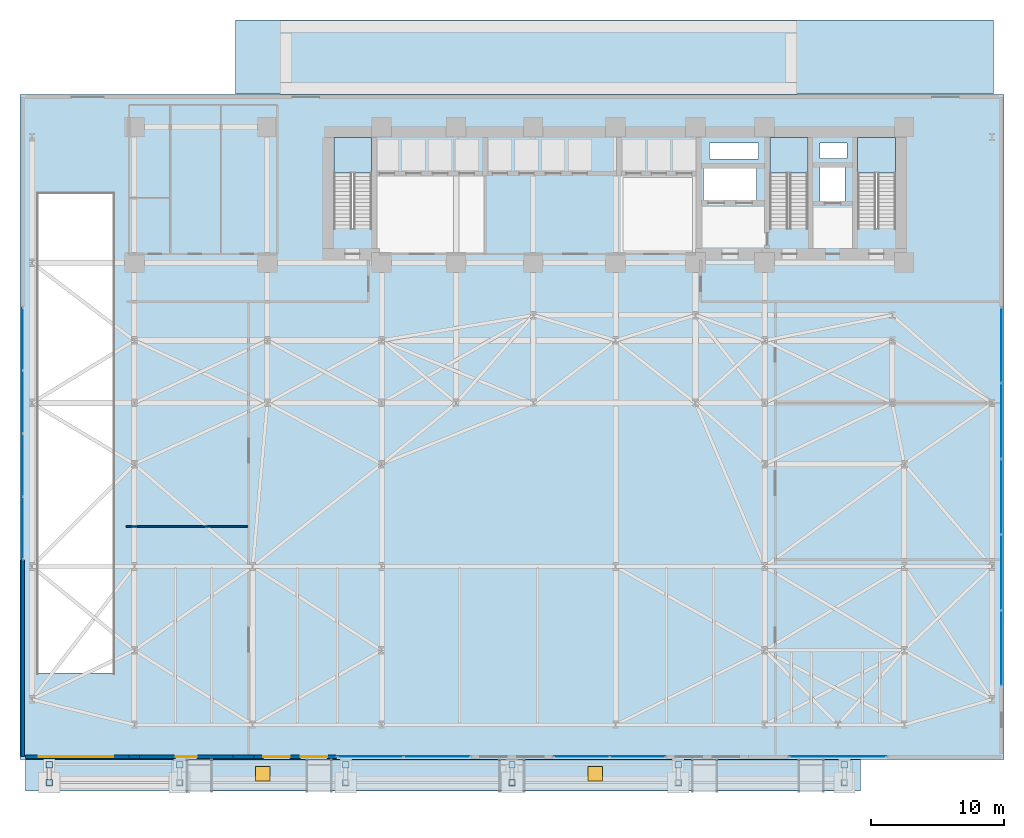
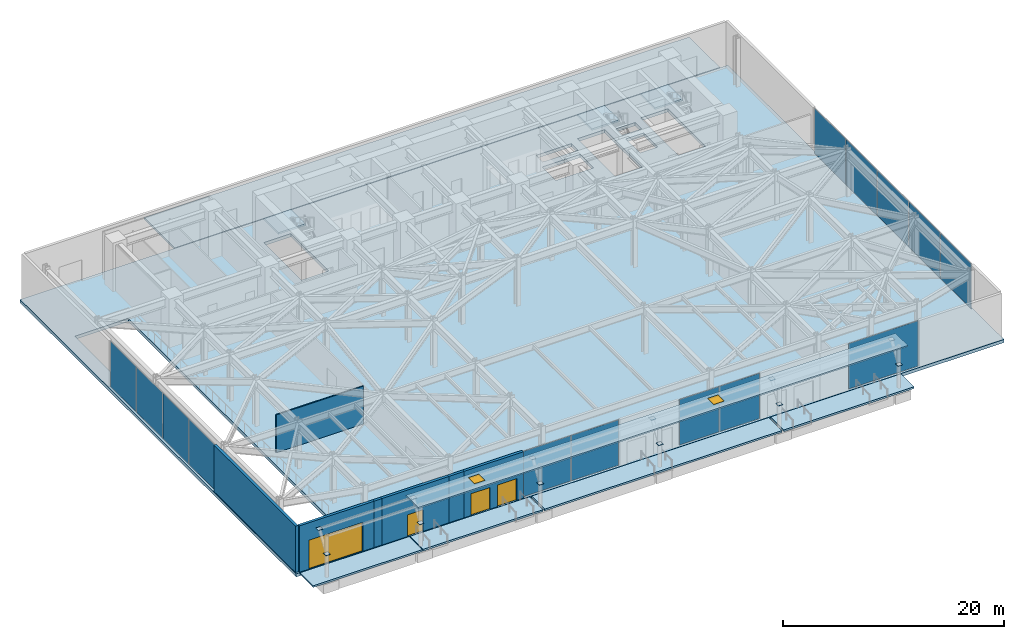
# One storey, part 24 of 31: 26 plates, 10 slabs, 7 walls, 6 doors, 6 openings, 8 elements without a shape of their own.
"""IFC4 building model written with IfcOpenShell, lengths in metres."""

from ifc_helpers import new_model, si_unit, direction, frame, frame_2d, origin, origin_2d, place, context, subcontext, project, spatial, polyline, rectangle, outline, extrude, material, layer, layer_set, type_object, element, fill, aggregate, save


model = new_model("IFC4")

# Units and contexts
model_context = context("Model", 3, precision=1e-05, world=origin(), true_north=direction((0.0, 1.0)))
body_context = subcontext(model_context, "Body", "Model", "MODEL_VIEW")
ifc_project = project(units=[si_unit("LENGTHUNIT", "METRE"), si_unit("AREAUNIT", "SQUARE_METRE"), si_unit("VOLUMEUNIT", "CUBIC_METRE"), si_unit("PLANEANGLEUNIT", "RADIAN"), si_unit("MASSUNIT", "GRAM", prefix="KILO")], contexts=[model_context])

# Site, building, storey
site_placement = place(None, origin())
site = spatial("IfcSite", under=ifc_project, at=site_placement, CompositionType="ELEMENT")
building_placement = place(site_placement, origin())
building = spatial("IfcBuilding", under=site, at=building_placement, Name="Kravanh Interchange Tower", CompositionType="ELEMENT")
storey_placement = place(building_placement, origin())
storey = spatial("IfcBuildingStorey", under=building, at=storey_placement, Name="L00", CompositionType="ELEMENT", Elevation=0.0)

# Slab
ifc_material_1 = material(Name="Concrete C60/75", Category="concrete")
ifc_layer_1 = layer(ifc_material_1, 0.35009765625)
ifc_layer_set_1 = layer_set([ifc_layer_1], Name="Composite Floor Slab Concrete C60/75 350mm")
slab_type_1 = type_object("IfcSlabType", Name="Composite Floor Slab Concrete C60/75 350mm", PredefinedType="FLOOR", material=ifc_layer_set_1)
slab_1_placement = place(storey_placement, frame((0.0, 0.0, -0.35009765625)))
element("IfcSlab", 1, at=slab_1_placement, inside=storey, type_object=slab_type_1, Name="L00 Structural Floor Slab", PredefinedType="FLOOR", context=body_context, shape_type="SweptSolid", body=[
    extrude(outline(polyline([(0.0, 0.0), (74.0, 0.0), (74.0, 50.0), (0.0, 50.0), (0.0, 0.0)]), holes=[polyline([(65.85009765625, 39.925048828125), (65.85009765625, 46.75), (63.0, 46.75), (63.0, 39.925048828125), (65.85009765625, 39.925048828125)]), polyline([(59.25, 39.925048828125), (59.25, 46.75), (56.39990234375, 46.75), (56.39990234375, 39.925048828125), (59.25, 39.925048828125)]), polyline([(26.449951171875, 39.925048828125), (26.449951171875, 46.75), (23.60009765625, 46.75), (23.60009765625, 39.925048828125), (26.449951171875, 39.925048828125)]), polyline([(51.419921875, 42.02001953125), (55.3798828125, 42.02001953125), (55.3798828125, 44.47998046875), (51.419921875, 44.47998046875), (51.419921875, 42.02001953125)]), polyline([(60.179931640625, 41.97998046875), (62.06005859375, 41.97998046875), (62.06005859375, 44.52001953125), (60.179931640625, 44.52001953125), (60.179931640625, 41.97998046875)]), polyline([(1.39990234375, 6.5), (7.0, 6.5), (7.0, 42.5), (1.39990234375, 42.5), (1.39990234375, 6.5)]), polyline([(60.14990234375, 45.199951171875), (62.199951171875, 45.199951171875), (62.199951171875, 46.35009765625), (60.14990234375, 46.35009765625), (60.14990234375, 45.199951171875)]), polyline([(51.85009765625, 45.14990234375), (55.550048828125, 45.14990234375), (55.550048828125, 46.35009765625), (51.85009765625, 46.35009765625), (51.85009765625, 45.14990234375)])]), origin(), (0.0, 0.0, 1.0), 0.35009765625),
])

# Stair, slab
ifc_material_2 = material(Name="Concrete C50/60", Category="concrete")
stair_type = type_object("IfcStairType", Name="Core Fire Exit Dogleg Stair Concrete C50/60", PredefinedType="HALF_TURN_STAIR", material=ifc_material_2)
stair_1_placement = place(storey_placement, origin())
stair_1 = element("IfcStair", 2, at=stair_1_placement, inside=storey, type_object=stair_type, Name="L00 Exit Stair ST1", PredefinedType="HALF_TURN_STAIR")
ifc_material_3 = material(Name="Concrete C50/60", Category="concrete")
ifc_layer_2 = layer(ifc_material_3, 0.199951171875)
ifc_layer_set_2 = layer_set([ifc_layer_2], Name="Concrete C50/60 Stair Half-Landing Slab 200mm")
slab_type_2 = type_object("IfcSlabType", Name="Concrete C50/60 Stair Half-Landing Slab 200mm", PredefinedType="LANDING", material=ifc_layer_set_2)
slab_2_placement = place(storey_placement, frame((0.0, 0.0, 2.5)))
slab_2 = element("IfcSlab", 3, at=slab_2_placement, type_object=slab_type_2, Name="ST1 landing 1", PredefinedType="LANDING", context=body_context, shape_type="SweptSolid", body=[
    extrude(outline(polyline([(65.85009765625, 44.10009765625), (65.85009765625, 46.75), (63.0, 46.75), (63.0, 44.10009765625), (65.85009765625, 44.10009765625)])), origin(), (0.0, 0.0, 1.0), 0.199951171875),
])
aggregate(stair_1, [slab_2])

stair_2_placement = place(storey_placement, origin())
stair_2 = element("IfcStair", 4, at=stair_2_placement, inside=storey, type_object=stair_type, Name="L00 Exit Stair ST2", PredefinedType="HALF_TURN_STAIR")
slab_3_placement = place(storey_placement, frame((0.0, 0.0, 2.5)))
slab_3 = element("IfcSlab", 5, at=slab_3_placement, type_object=slab_type_2, Name="ST2 landing 1", PredefinedType="LANDING", context=body_context, shape_type="SweptSolid", body=[
    extrude(outline(polyline([(59.25, 44.10009765625), (59.25, 46.75), (56.39990234375, 46.75), (56.39990234375, 44.10009765625), (59.25, 44.10009765625)])), origin(), (0.0, 0.0, 1.0), 0.199951171875),
])
aggregate(stair_2, [slab_3])

stair_3_placement = place(storey_placement, origin())
stair_3 = element("IfcStair", 6, at=stair_3_placement, inside=storey, type_object=stair_type, Name="L00 Exit Stair ST3", PredefinedType="HALF_TURN_STAIR")
slab_4_placement = place(storey_placement, frame((0.0, 0.0, 2.5)))
slab_4 = element("IfcSlab", 7, at=slab_4_placement, type_object=slab_type_2, Name="ST3 landing 1", PredefinedType="LANDING", context=body_context, shape_type="SweptSolid", body=[
    extrude(outline(polyline([(26.449951171875, 44.10009765625), (26.449951171875, 46.75), (23.60009765625, 46.75), (23.60009765625, 44.10009765625), (26.449951171875, 44.10009765625)])), origin(), (0.0, 0.0, 1.0), 0.199951171875),
])
aggregate(stair_3, [slab_4])

# Plates
ifc_material_4 = material(Name="Structural Steel S450", Category="steel")
ifc_layer_3 = layer(ifc_material_4, 0.031982421875)
ifc_layer_set_3 = layer_set([ifc_layer_3], Name="Flange Continuity Node Plate 480x480x32 S450")
plate_type_1 = type_object("IfcPlateType", Name="Flange Continuity Node Plate 480x480x32 S450", PredefinedType="SHEET", material=ifc_layer_set_3)
for number, where, z_axis, x_axis, name in (
    (8, (2.199951171875, -1.75, 2.48388671875), (0.0, 0.0, 1.0), (1.0, 0.0, 0.0), "Canopy Strut Lower Connection Plate 1A"),
    (9, (2.199951171875, -0.39990234375, 4.458984375), (0.0, 0.0, 1.0), (1.0, 0.0, 0.0), "Canopy Strut Upper Connection Plate 1B"),
    (10, (12.0, -1.75, 2.48388671875), (0.0, 0.0, 1.0), (1.0, 0.0, 0.0), "Canopy Strut Lower Connection Plate 2A"),
    (11, (12.0, -0.39990234375, 4.458984375), (0.0, 0.0, 1.0), (1.0, 0.0, 0.0), "Canopy Strut Upper Connection Plate 2B"),
    (12, (24.5, -1.75, 2.48388671875), (0.0, 0.0, 1.0), (1.0, 0.0, 0.0), "Canopy Strut Lower Connection Plate 3A"),
    (13, (24.5, -0.39990234375, 4.458984375), (0.0, 0.0, 1.0), (1.0, 0.0, 0.0), "Canopy Strut Upper Connection Plate 3B"),
    (14, (37.0, -1.75, 2.48388671875), (0.0, 0.0, 1.0), (1.0, 0.0, 0.0), "Canopy Strut Lower Connection Plate 4A"),
    (15, (37.0, -0.39990234375, 4.458984375), (0.0, 0.0, 1.0), (1.0, 0.0, 0.0), "Canopy Strut Upper Connection Plate 4B"),
    (16, (49.5, -1.75, 2.48388671875), (0.0, 0.0, 1.0), (1.0, 0.0, 0.0), "Canopy Strut Lower Connection Plate 5A"),
    (17, (49.5, -0.39990234375, 4.458984375), (0.0, 0.0, 1.0), (1.0, 0.0, 0.0), "Canopy Strut Upper Connection Plate 5B"),
    (18, (62.0, -1.75, 2.48388671875), (0.0, 0.0, 1.0), (1.0, 0.0, 0.0), "Canopy Strut Lower Connection Plate 6A"),
    (19, (62.0, -0.39990234375, 4.458984375), (0.0, 0.0, 1.0), (1.0, 0.0, 0.0), "Canopy Strut Upper Connection Plate 6B"),
):
    element("IfcPlate", number, at=place(storey_placement, frame(where, z_axis=z_axis, x_axis=x_axis)), inside=storey, type_object=plate_type_1, Name=name, PredefinedType="SHEET", context=body_context, shape_type="SweptSolid", body=[
        extrude(rectangle(XDim=0.47998046875, YDim=0.47998046875, at=origin_2d()), origin(), (0.0, 0.0, 1.0), 0.031982421875),
    ])

# Curtain wall, plates
ifc_material_5 = material(Name="Anodised Bronze Aluminium", Category="aluminium")
ifc_layer_4 = layer(ifc_material_5, 0.179931640625)
ifc_layer_set_4 = layer_set([ifc_layer_4], Name="Unitised Curtain Wall System CW-POD Podium Concourse")
curtain_wall_type = type_object("IfcCurtainWallType", Name="Unitised Curtain Wall System CW-POD Podium Concourse", PredefinedType="NOTDEFINED", material=ifc_layer_set_4)
curtain_wall_1_placement = place(storey_placement, origin())
curtain_wall_1 = element("IfcCurtainWall", 20, at=curtain_wall_1_placement, inside=storey, type_object=curtain_wall_type, Name="L00 Unitised Curtain Wall CW-L00-01", PredefinedType="NOTDEFINED")
ifc_material_6 = material(Name="Low-E Laminated Architectural Glass", Category="glass")
ifc_layer_5 = layer(ifc_material_6, 0.031982421875)
ifc_layer_set_5 = layer_set([ifc_layer_5], Name="Low-E Laminated Glazing 32mm")
plate_type_2 = type_object("IfcPlateType", Name="Low-E Laminated Glazing 32mm", PredefinedType="CURTAIN_PANEL", material=ifc_layer_set_5)
plate_1_placement = place(storey_placement, frame((26.342529296875, 0.199951171875, 0.06005859375), z_axis=(0.0, 0.0, 1.0), x_axis=(1.0, 0.0, 0.0)))
plate_1 = element("IfcPlate", 21, at=plate_1_placement, type_object=plate_type_2, Name="CW-POD panel 1.1", PredefinedType="CURTAIN_PANEL", context=body_context, shape_type="SweptSolid", body=[
    extrude(rectangle(XDim=4.945068359375, YDim=0.031982421875, at=origin_2d()), origin(), (0.0, 0.0, 1.0), 5.010009765625),
])
plate_2_placement = place(storey_placement, frame((31.357421875, 0.199951171875, 0.06005859375), z_axis=(0.0, 0.0, 1.0), x_axis=(1.0, 0.0, 0.0)))
plate_2 = element("IfcPlate", 22, at=plate_2_placement, type_object=plate_type_2, Name="CW-POD panel 2.1", PredefinedType="CURTAIN_PANEL", context=body_context, shape_type="SweptSolid", body=[
    extrude(rectangle(XDim=4.945068359375, YDim=0.031982421875, at=origin_2d()), origin(), (0.0, 0.0, 1.0), 5.010009765625),
])
aggregate(curtain_wall_1, [plate_1, plate_2])

curtain_wall_2_placement = place(storey_placement, origin())
curtain_wall_2 = element("IfcCurtainWall", 23, at=curtain_wall_2_placement, inside=storey, type_object=curtain_wall_type, Name="L00 Unitised Curtain Wall CW-L00-02", PredefinedType="NOTDEFINED")
plate_3_placement = place(storey_placement, frame((42.242431640625, 0.199951171875, 0.06005859375), z_axis=(0.0, 0.0, 1.0), x_axis=(1.0, 0.0, 0.0)))
plate_3 = element("IfcPlate", 24, at=plate_3_placement, type_object=plate_type_2, Name="CW-POD panel 1.1", PredefinedType="CURTAIN_PANEL", context=body_context, shape_type="SweptSolid", body=[
    extrude(rectangle(XDim=4.14501953125, YDim=0.031982421875, at=origin_2d()), origin(), (0.0, 0.0, 1.0), 5.010009765625),
])
plate_4_placement = place(storey_placement, frame((46.45751953125, 0.199951171875, 0.06005859375), z_axis=(0.0, 0.0, 1.0), x_axis=(1.0, 0.0, 0.0)))
plate_4 = element("IfcPlate", 25, at=plate_4_placement, type_object=plate_type_2, Name="CW-POD panel 2.1", PredefinedType="CURTAIN_PANEL", context=body_context, shape_type="SweptSolid", body=[
    extrude(rectangle(XDim=4.14501953125, YDim=0.031982421875, at=origin_2d()), origin(), (0.0, 0.0, 1.0), 5.010009765625),
])
aggregate(curtain_wall_2, [plate_3, plate_4])

# Curtain wall, plate
curtain_wall_3_placement = place(storey_placement, origin())
curtain_wall_3 = element("IfcCurtainWall", 26, at=curtain_wall_3_placement, inside=storey, type_object=curtain_wall_type, Name="L00 Unitised Curtain Wall CW-L00-03", PredefinedType="NOTDEFINED")
plate_5_placement = place(storey_placement, frame((61.5, 0.199951171875, 0.06005859375), z_axis=(0.0, 0.0, 1.0), x_axis=(1.0, 0.0, 0.0)))
plate_5 = element("IfcPlate", 27, at=plate_5_placement, type_object=plate_type_2, Name="CW-POD panel 1.1", PredefinedType="CURTAIN_PANEL", context=body_context, shape_type="SweptSolid", body=[
    extrude(rectangle(XDim=7.260009765625, YDim=0.031982421875, at=origin_2d()), origin(), (0.0, 0.0, 1.0), 5.010009765625),
])
aggregate(curtain_wall_3, [plate_5])

# Curtain wall, plates
curtain_wall_4_placement = place(storey_placement, origin())
curtain_wall_4 = element("IfcCurtainWall", 28, at=curtain_wall_4_placement, inside=storey, type_object=curtain_wall_type, Name="L00 Unitised Curtain Wall CW-L00-04", PredefinedType="NOTDEFINED")
plate_6_placement = place(storey_placement, frame((73.800048828125, 8.367431640625, 0.06005859375), z_axis=(0.0, 0.0, 1.0), x_axis=(0.0, 1.0, 0.0)))
plate_6 = element("IfcPlate", 29, at=plate_6_placement, type_object=plate_type_2, Name="CW-POD panel 1.1", PredefinedType="CURTAIN_PANEL", context=body_context, shape_type="SweptSolid", body=[
    extrude(rectangle(XDim=5.594970703125, YDim=0.031982421875, at=origin_2d()), origin(), (0.0, 0.0, 1.0), 5.010009765625),
])
plate_7_placement = place(storey_placement, frame((73.800048828125, 14.050048828125, 0.06005859375), z_axis=(0.0, 0.0, 1.0), x_axis=(0.0, 1.0, 0.0)))
plate_7 = element("IfcPlate", 30, at=plate_7_placement, type_object=plate_type_2, Name="CW-POD panel 2.1", PredefinedType="CURTAIN_PANEL", context=body_context, shape_type="SweptSolid", body=[
    extrude(rectangle(XDim=5.6298828125, YDim=0.031982421875, at=origin_2d()), origin(), (0.0, 0.0, 1.0), 5.010009765625),
])
plate_8_placement = place(storey_placement, frame((73.800048828125, 19.75, 0.06005859375), z_axis=(0.0, 0.0, 1.0), x_axis=(0.0, 1.0, 0.0)))
plate_8 = element("IfcPlate", 31, at=plate_8_placement, type_object=plate_type_2, Name="CW-POD panel 3.1", PredefinedType="CURTAIN_PANEL", context=body_context, shape_type="SweptSolid", body=[
    extrude(rectangle(XDim=5.6298828125, YDim=0.031982421875, at=origin_2d()), origin(), (0.0, 0.0, 1.0), 5.010009765625),
])
plate_9_placement = place(storey_placement, frame((73.800048828125, 25.449951171875, 0.06005859375), z_axis=(0.0, 0.0, 1.0), x_axis=(0.0, 1.0, 0.0)))
plate_9 = element("IfcPlate", 32, at=plate_9_placement, type_object=plate_type_2, Name="CW-POD panel 4.1", PredefinedType="CURTAIN_PANEL", context=body_context, shape_type="SweptSolid", body=[
    extrude(rectangle(XDim=5.6298828125, YDim=0.031982421875, at=origin_2d()), origin(), (0.0, 0.0, 1.0), 5.010009765625),
])
plate_10_placement = place(storey_placement, frame((73.800048828125, 31.132568359375, 0.06005859375), z_axis=(0.0, 0.0, 1.0), x_axis=(0.0, 1.0, 0.0)))
plate_10 = element("IfcPlate", 33, at=plate_10_placement, type_object=plate_type_2, Name="CW-POD panel 5.1", PredefinedType="CURTAIN_PANEL", context=body_context, shape_type="SweptSolid", body=[
    extrude(rectangle(XDim=5.594970703125, YDim=0.031982421875, at=origin_2d()), origin(), (0.0, 0.0, 1.0), 5.010009765625),
])
aggregate(curtain_wall_4, [plate_6, plate_7, plate_8, plate_9, plate_10])

curtain_wall_5_placement = place(storey_placement, origin())
curtain_wall_5 = element("IfcCurtainWall", 34, at=curtain_wall_5_placement, inside=storey, type_object=curtain_wall_type, Name="L00 Unitised Curtain Wall CW-L00-05", PredefinedType="NOTDEFINED")
plate_11_placement = place(storey_placement, frame((0.199951171875, 17.392578125, 0.06005859375), z_axis=(0.0, 0.0, 1.0), x_axis=(0.0, 1.0, 0.0)))
plate_11 = element("IfcPlate", 35, at=plate_11_placement, type_object=plate_type_2, Name="CW-POD panel 1.1", PredefinedType="CURTAIN_PANEL", context=body_context, shape_type="SweptSolid", body=[
    extrude(rectangle(XDim=4.64501953125, YDim=0.031982421875, at=origin_2d()), origin(), (0.0, 0.0, 1.0), 5.010009765625),
])
plate_12_placement = place(storey_placement, frame((0.199951171875, 22.125, 0.06005859375), z_axis=(0.0, 0.0, 1.0), x_axis=(0.0, 1.0, 0.0)))
plate_12 = element("IfcPlate", 36, at=plate_12_placement, type_object=plate_type_2, Name="CW-POD panel 2.1", PredefinedType="CURTAIN_PANEL", context=body_context, shape_type="SweptSolid", body=[
    extrude(rectangle(XDim=4.679931640625, YDim=0.031982421875, at=origin_2d()), origin(), (0.0, 0.0, 1.0), 5.010009765625),
])
plate_13_placement = place(storey_placement, frame((0.199951171875, 26.875, 0.06005859375), z_axis=(0.0, 0.0, 1.0), x_axis=(0.0, 1.0, 0.0)))
plate_13 = element("IfcPlate", 37, at=plate_13_placement, type_object=plate_type_2, Name="CW-POD panel 3.1", PredefinedType="CURTAIN_PANEL", context=body_context, shape_type="SweptSolid", body=[
    extrude(rectangle(XDim=4.679931640625, YDim=0.031982421875, at=origin_2d()), origin(), (0.0, 0.0, 1.0), 5.010009765625),
])
plate_14_placement = place(storey_placement, frame((0.199951171875, 31.607421875, 0.06005859375), z_axis=(0.0, 0.0, 1.0), x_axis=(0.0, 1.0, 0.0)))
plate_14 = element("IfcPlate", 38, at=plate_14_placement, type_object=plate_type_2, Name="CW-POD panel 4.1", PredefinedType="CURTAIN_PANEL", context=body_context, shape_type="SweptSolid", body=[
    extrude(rectangle(XDim=4.64501953125, YDim=0.031982421875, at=origin_2d()), origin(), (0.0, 0.0, 1.0), 5.010009765625),
])
aggregate(curtain_wall_5, [plate_11, plate_12, plate_13, plate_14])

# Slab, openings, doors
ifc_material_7 = material(Name="Precast Concrete C50/60", Category="concrete")
ifc_layer_6 = layer(ifc_material_7, 0.159912109375)
ifc_layer_set_6 = layer_set([ifc_layer_6], Name="Station Canopy Roof Slab Precast Concrete C50/60 160mm")
slab_type_3 = type_object("IfcSlabType", Name="Station Canopy Roof Slab Precast Concrete C50/60 160mm", PredefinedType="ROOF", material=ifc_layer_set_6)
slab_5_placement = place(storey_placement, frame((0.0, 0.0, 4.60009765625)))
slab_5 = element("IfcSlab", 39, at=slab_5_placement, inside=storey, type_object=slab_type_3, Name="South Boulevard Station Entrance Canopy Roof", PredefinedType="ROOF", context=body_context, shape_type="SweptSolid", body=[
    extrude(outline(polyline([(11.39990234375, -2.35009765625), (62.60009765625, -2.35009765625), (62.60009765625, -0.10009765625), (11.39990234375, -0.10009765625), (11.39990234375, -2.35009765625)]), holes=[polyline([(17.699951171875, -1.6298828125), (18.800048828125, -1.6298828125), (18.800048828125, -0.530029296875), (17.699951171875, -0.530029296875), (17.699951171875, -1.6298828125)]), polyline([(42.699951171875, -1.6298828125), (43.800048828125, -1.6298828125), (43.800048828125, -0.530029296875), (42.699951171875, -0.530029296875), (42.699951171875, -1.6298828125)])]), origin(), (0.0, 0.0, 1.0), 0.159912109375),
])
opening_1_placement = place(slab_5_placement, frame((18.25, -1.080078125, 0.0)))
opening_1 = element("IfcOpeningElement", 40, at=opening_1_placement, cuts=slab_5, Name="Opening RH-110", PredefinedType="OPENING", context=body_context, shape_type="SweptSolid", body=[
    extrude(rectangle(XDim=1.10009765625, YDim=1.10009765625, at=origin_2d()), origin(), (0.0, 0.0, 1.0), 0.159912109375),
])
opening_2_placement = place(slab_5_placement, frame((43.25, -1.080078125, 0.0)))
opening_2 = element("IfcOpeningElement", 41, at=opening_2_placement, cuts=slab_5, Name="Opening RH-110", PredefinedType="OPENING", context=body_context, shape_type="SweptSolid", body=[
    extrude(rectangle(XDim=1.10009765625, YDim=1.10009765625, at=origin_2d()), origin(), (0.0, 0.0, 1.0), 0.159912109375),
])
ifc_material_8 = material(Name="Insulated Aluminium Chequer Plate", Category="aluminium")
door_type_1 = type_object("IfcDoorType", Name="Roof Maintenance Access Hatch 1100x1100", OperationType="SINGLE_SWING_LEFT", PredefinedType="TRAPDOOR", material=ifc_material_8)
door_1_placement = place(opening_1_placement, frame((0.0, 0.0, 0.10986328125)))
door_1 = element("IfcDoor", 42, at=door_1_placement, inside=storey, type_object=door_type_1, Name="Canopy Roof Inspection Hatch 1", OperationType="SINGLE_SWING_LEFT", OverallHeight=1.10009765625, OverallWidth=1.10009765625, PredefinedType="TRAPDOOR", context=body_context, shape_type="SweptSolid", body=[
    extrude(rectangle(XDim=1.10009765625, YDim=1.10009765625, at=origin_2d()), origin(), (0.0, 0.0, 1.0), 0.050048828125),
])
fill(opening_1, door_1)
door_2_placement = place(opening_2_placement, frame((0.0, 0.0, 0.10986328125)))
door_2 = element("IfcDoor", 43, at=door_2_placement, inside=storey, type_object=door_type_1, Name="Canopy Roof Inspection Hatch 2", OperationType="SINGLE_SWING_LEFT", OverallHeight=1.10009765625, OverallWidth=1.10009765625, PredefinedType="TRAPDOOR", context=body_context, shape_type="SweptSolid", body=[
    extrude(rectangle(XDim=1.10009765625, YDim=1.10009765625, at=origin_2d()), origin(), (0.0, 0.0, 1.0), 0.050048828125),
])
fill(opening_2, door_2)

# Slabs
ifc_material_9 = material(Name="Concrete C50/60", Category="concrete")
ifc_layer_7 = layer(ifc_material_9, 0.199951171875)
ifc_layer_set_7 = layer_set([ifc_layer_7], Name="Transit Plaza Paving Slab Concrete C50/60 200mm")
slab_type_4 = type_object("IfcSlabType", Name="Transit Plaza Paving Slab Concrete C50/60 200mm", PredefinedType="USERDEFINED", material=ifc_layer_set_7)
slab_6_placement = place(storey_placement, frame((0.0, 0.0, -0.199951171875)))
element("IfcSlab", 44, at=slab_6_placement, inside=storey, type_object=slab_type_4, Name="West Vehicle Ramp Apron Paving", ObjectType="PAVING", PredefinedType="USERDEFINED", context=body_context, shape_type="SweptSolid", body=[
    extrude(outline(polyline([(0.39990234375, -2.39990234375), (11.800048828125, -2.39990234375), (11.800048828125, -0.02001953125), (0.39990234375, -0.02001953125), (0.39990234375, -2.39990234375)])), origin(), (0.0, 0.0, 1.0), 0.199951171875),
])
slab_7_placement = place(storey_placement, frame((0.0, 0.0, -0.199951171875)))
element("IfcSlab", 45, at=slab_7_placement, inside=storey, type_object=slab_type_4, Name="South Boulevard Transit Plaza West Bay", ObjectType="PAVING", PredefinedType="USERDEFINED", context=body_context, shape_type="SweptSolid", body=[
    extrude(outline(polyline([(11.89990234375, -2.39990234375), (24.39990234375, -2.39990234375), (24.39990234375, -0.02001953125), (11.89990234375, -0.02001953125), (11.89990234375, -2.39990234375)])), origin(), (0.0, 0.0, 1.0), 0.199951171875),
])
slab_8_placement = place(storey_placement, frame((0.0, 0.0, -0.199951171875)))
element("IfcSlab", 46, at=slab_8_placement, inside=storey, type_object=slab_type_4, Name="South Boulevard Transit Plaza Central Concourse", ObjectType="PAVING", PredefinedType="USERDEFINED", context=body_context, shape_type="SweptSolid", body=[
    extrude(outline(polyline([(24.60009765625, -2.39990234375), (49.39990234375, -2.39990234375), (49.39990234375, -0.02001953125), (24.60009765625, -0.02001953125), (24.60009765625, -2.39990234375)])), origin(), (0.0, 0.0, 1.0), 0.199951171875),
])
slab_9_placement = place(storey_placement, frame((0.0, 0.0, -0.199951171875)))
element("IfcSlab", 47, at=slab_9_placement, inside=storey, type_object=slab_type_4, Name="South Boulevard Transit Plaza East Bay", ObjectType="PAVING", PredefinedType="USERDEFINED", context=body_context, shape_type="SweptSolid", body=[
    extrude(outline(polyline([(49.60009765625, -2.39990234375), (63.199951171875, -2.39990234375), (63.199951171875, -0.02001953125), (49.60009765625, -0.02001953125), (49.60009765625, -2.39990234375)])), origin(), (0.0, 0.0, 1.0), 0.199951171875),
])
slab_10_placement = place(storey_placement, frame((0.0, 0.0, -0.199951171875)))
element("IfcSlab", 48, at=slab_10_placement, inside=storey, type_object=slab_type_4, Name="North Boulevard Station Exit Forecourt Paving", ObjectType="PAVING", PredefinedType="USERDEFINED", context=body_context, shape_type="SweptSolid", body=[
    extrude(outline(polyline([(16.199951171875, 50.050048828125), (73.199951171875, 50.050048828125), (73.199951171875, 55.60009765625), (16.199951171875, 55.60009765625), (16.199951171875, 50.050048828125)])), origin(), (0.0, 0.0, 1.0), 0.199951171875),
])

# Wall
ifc_material_10 = material(Name="Double Acoustic Gypsum Board and Mineral Wool")
ifc_layer_8 = layer(ifc_material_10, 0.1201171875)
ifc_layer_set_8 = layer_set([ifc_layer_8], Name="Acoustic Office Drywall Partition 120mm")
wall_type_1 = type_object("IfcWallType", Name="Acoustic Office Drywall Partition 120mm", PredefinedType="PARTITIONING", material=ifc_layer_set_8)
wall_1_placement = place(storey_placement, frame((8.0, 17.5, 0.0), z_axis=(0.0, 0.0, 1.0), x_axis=(1.0, 0.0, 0.0)))
element("IfcWall", 49, at=wall_1_placement, inside=storey, type_object=wall_type_1, Name="L00 Interior Partition 7", PredefinedType="PARTITIONING", context=body_context, shape_type="SweptSolid", body=[
    extrude(rectangle(XDim=9.132080078125, YDim=0.1201171875, at=frame_2d((4.56591796875, 0.0))), origin(), (0.0, 0.0, 1.0), 4.181884765625),
])

# Wall, opening, door
ifc_material_11 = material(Name="Insulated Precast Concrete C40/50 with Bronze Cladding", Category="concrete")
ifc_layer_9 = layer(ifc_material_11, 0.280029296875)
ifc_layer_set_9 = layer_set([ifc_layer_9], Name="Exterior Insulated Concrete C40/50 Bronze Spandrel Wall 280mm")
wall_type_2 = type_object("IfcWallType", Name="Exterior Insulated Concrete C40/50 Bronze Spandrel Wall 280mm", PredefinedType="STANDARD", material=ifc_layer_set_9)
wall_2_placement = place(storey_placement, frame((8.199951171875, 0.199951171875, 0.0), z_axis=(0.0, 0.0, 1.0), x_axis=(-1.0, 0.0, 0.0)))
wall_2 = element("IfcWall", 50, at=wall_2_placement, inside=storey, type_object=wall_type_2, Name="L00 West Ramp Portal Exterior Wall", PredefinedType="STANDARD", context=body_context, shape_type="SweptSolid", body=[
    extrude(rectangle(XDim=7.800048828125, YDim=0.280029296875, at=frame_2d((3.89990234375, 0.0))), origin(), (0.0, 0.0, 1.0), 5.1298828125),
])
opening_3_placement = place(wall_2_placement, frame((1.199951171875, 0.0, 0.0)))
opening_3 = element("IfcOpeningElement", 51, at=opening_3_placement, cuts=wall_2, Name="Opening VG01", PredefinedType="OPENING", context=body_context, shape_type="SweptSolid", body=[
    extrude(rectangle(XDim=5.60009765625, YDim=3.199951171875, at=frame_2d((2.800048828125, 1.60009765625))), frame((0.0, 0.14990234375, 0.0), z_axis=(0.0, -1.0, 0.0), x_axis=(1.0, 0.0, 0.0)), (0.0, 0.0, 1.0), 0.300048828125),
])
ifc_material_12 = material(Name="Structural Steel S355", Category="steel")
door_type_2 = type_object("IfcDoorType", Name="Vehicle Ramp Roller Gate 5600x3200", OperationType="ROLLINGUP", PredefinedType="GATE", material=ifc_material_12)
door_3_placement = place(opening_3_placement, origin())
door_3 = element("IfcDoor", 52, at=door_3_placement, inside=storey, type_object=door_type_2, Name="Car Park Vehicle Ramp Exit Gate VG01", OperationType="ROLLINGUP", OverallHeight=3.199951171875, OverallWidth=5.60009765625, PredefinedType="GATE", context=body_context, shape_type="SweptSolid", body=[
    extrude(rectangle(XDim=5.60009765625, YDim=3.199951171875, at=frame_2d((2.800048828125, 1.60009765625))), frame((0.0, 0.02490234375, 0.0), z_axis=(0.0, -1.0, 0.0), x_axis=(1.0, 0.0, 0.0)), (0.0, 0.0, 1.0), 0.050048828125),
])
fill(opening_3, door_3)

wall_3_placement = place(storey_placement, frame((16.0, 0.199951171875, 0.0), z_axis=(0.0, 0.0, 1.0), x_axis=(-1.0, 0.0, 0.0)))
wall_3 = element("IfcWall", 53, at=wall_3_placement, inside=storey, type_object=wall_type_2, Name="L00 South Bakery Shopfront Wall", PredefinedType="STANDARD", context=body_context, shape_type="SweptSolid", body=[
    extrude(rectangle(XDim=7.0, YDim=0.280029296875, at=frame_2d((3.5, 0.0))), origin(), (0.0, 0.0, 1.0), 5.1298828125),
])
opening_4_placement = place(wall_3_placement, frame((2.699951171875, 0.0, 0.0)))
opening_4 = element("IfcOpeningElement", 54, at=opening_4_placement, cuts=wall_3, Name="Opening ED-SHOP160", PredefinedType="OPENING", context=body_context, shape_type="SweptSolid", body=[
    extrude(rectangle(XDim=1.60009765625, YDim=2.39990234375, at=frame_2d((0.800048828125, 1.199951171875))), frame((0.0, 0.14990234375, 0.0), z_axis=(0.0, -1.0, 0.0), x_axis=(1.0, 0.0, 0.0)), (0.0, 0.0, 1.0), 0.300048828125),
])
ifc_material_13 = material(Name="Anodised Bronze Aluminium and Toughened Glass", Category="aluminium")
door_type_3 = type_object("IfcDoorType", Name="Street Retail Entrance Door 1600x2400", OperationType="DOUBLE_DOOR_SINGLE_SWING", PredefinedType="DOOR", material=ifc_material_13)
door_4_placement = place(opening_4_placement, origin())
door_4 = element("IfcDoor", 55, at=door_4_placement, inside=storey, type_object=door_type_3, Name="Concourse Bakery Street Entrance Door", OperationType="DOUBLE_DOOR_SINGLE_SWING", OverallHeight=2.39990234375, OverallWidth=1.60009765625, PredefinedType="DOOR", context=body_context, shape_type="SweptSolid", body=[
    extrude(rectangle(XDim=1.60009765625, YDim=2.39990234375, at=frame_2d((0.800048828125, 1.199951171875))), frame((0.0, 0.02490234375, 0.0), z_axis=(0.0, -1.0, 0.0), x_axis=(1.0, 0.0, 0.0)), (0.0, 0.0, 1.0), 0.050048828125),
])
fill(opening_4, door_4)

# Wall, openings, doors
wall_4_placement = place(storey_placement, frame((23.800048828125, 0.199951171875, 0.0), z_axis=(0.0, 0.0, 1.0), x_axis=(-1.0, 0.0, 0.0)))
wall_4 = element("IfcWall", 56, at=wall_4_placement, inside=storey, type_object=wall_type_2, Name="L00 South Station Entrance Portal W", PredefinedType="STANDARD", context=body_context, shape_type="SweptSolid", body=[
    extrude(rectangle(XDim=6.199951171875, YDim=0.280029296875, at=frame_2d((3.10009765625, 0.0))), origin(), (0.0, 0.0, 1.0), 5.1298828125),
])
opening_5_placement = place(wall_4_placement, frame((0.699951171875, 0.0, 0.0)))
opening_5 = element("IfcOpeningElement", 57, at=opening_5_placement, cuts=wall_4, Name="Opening ED-EXIT200", PredefinedType="OPENING", context=body_context, shape_type="SweptSolid", body=[
    extrude(rectangle(XDim=2.0, YDim=2.39990234375, at=frame_2d((1.0, 1.199951171875))), frame((0.0, 0.14990234375, 0.0), z_axis=(0.0, -1.0, 0.0), x_axis=(1.0, 0.0, 0.0)), (0.0, 0.0, 1.0), 0.300048828125),
])
opening_6_placement = place(wall_4_placement, frame((3.5, 0.0, 0.0)))
opening_6 = element("IfcOpeningElement", 58, at=opening_6_placement, cuts=wall_4, Name="Opening ED-EXIT200", PredefinedType="OPENING", context=body_context, shape_type="SweptSolid", body=[
    extrude(rectangle(XDim=2.0, YDim=2.39990234375, at=frame_2d((1.0, 1.199951171875))), frame((0.0, 0.14990234375, 0.0), z_axis=(0.0, -1.0, 0.0), x_axis=(1.0, 0.0, 0.0)), (0.0, 0.0, 1.0), 0.300048828125),
])
ifc_material_14 = material(Name="Anodised Bronze Aluminium and Toughened Glass", Category="aluminium")
door_type_4 = type_object("IfcDoorType", Name="Concourse Double Exit Door 2000x2400", OperationType="DOUBLE_DOOR_SINGLE_SWING", PredefinedType="DOOR", material=ifc_material_14)
door_5_placement = place(opening_5_placement, origin())
door_5 = element("IfcDoor", 59, at=door_5_placement, inside=storey, type_object=door_type_4, Name="South Station Street Exit Door 1A", OperationType="DOUBLE_DOOR_SINGLE_SWING", OverallHeight=2.39990234375, OverallWidth=2.0, PredefinedType="DOOR", context=body_context, shape_type="SweptSolid", body=[
    extrude(rectangle(XDim=2.0, YDim=2.39990234375, at=frame_2d((1.0, 1.199951171875))), frame((0.0, 0.02490234375, 0.0), z_axis=(0.0, -1.0, 0.0), x_axis=(1.0, 0.0, 0.0)), (0.0, 0.0, 1.0), 0.050048828125),
])
fill(opening_5, door_5)
door_6_placement = place(opening_6_placement, origin())
door_6 = element("IfcDoor", 60, at=door_6_placement, inside=storey, type_object=door_type_4, Name="South Station Street Exit Door 1B", OperationType="DOUBLE_DOOR_SINGLE_SWING", OverallHeight=2.39990234375, OverallWidth=2.0, PredefinedType="DOOR", context=body_context, shape_type="SweptSolid", body=[
    extrude(rectangle(XDim=2.0, YDim=2.39990234375, at=frame_2d((1.0, 1.199951171875))), frame((0.0, 0.02490234375, 0.0), z_axis=(0.0, -1.0, 0.0), x_axis=(1.0, 0.0, 0.0)), (0.0, 0.0, 1.0), 0.050048828125),
])
fill(opening_6, door_6)

# Walls
wall_5_placement = place(storey_placement, frame((9.0, 0.199951171875, 0.0), z_axis=(0.0, 0.0, 1.0), x_axis=(-1.0, 0.0, 0.0)))
element("IfcWall", 61, at=wall_5_placement, inside=storey, type_object=wall_type_2, Name="L00 Perimeter Closure Wall EW-L00-S-1", PredefinedType="STANDARD", context=body_context, shape_type="SweptSolid", body=[
    extrude(rectangle(XDim=0.800048828125, YDim=0.280029296875, at=frame_2d((0.39990234375, 0.0))), origin(), (0.0, 0.0, 1.0), 5.1298828125),
])
wall_6_placement = place(storey_placement, frame((17.60009765625, 0.199951171875, 0.0), z_axis=(0.0, 0.0, 1.0), x_axis=(-1.0, 0.0, 0.0)))
element("IfcWall", 62, at=wall_6_placement, inside=storey, type_object=wall_type_2, Name="L00 Perimeter Closure Wall EW-L00-S-2", PredefinedType="STANDARD", context=body_context, shape_type="SweptSolid", body=[
    extrude(rectangle(XDim=1.60009765625, YDim=0.280029296875, at=frame_2d((0.800048828125, 0.0))), origin(), (0.0, 0.0, 1.0), 5.1298828125),
])
wall_7_placement = place(storey_placement, frame((0.199951171875, 0.199951171875, 0.0), z_axis=(0.0, 0.0, 1.0), x_axis=(0.0, 1.0, 0.0)))
element("IfcWall", 63, at=wall_7_placement, inside=storey, type_object=wall_type_2, Name="L00 Perimeter Closure Wall EW-L00-W-1", PredefinedType="STANDARD", context=body_context, shape_type="SweptSolid", body=[
    extrude(rectangle(XDim=14.800048828125, YDim=0.280029296875, at=frame_2d((7.39990234375, 0.0))), origin(), (0.0, 0.0, 1.0), 5.1298828125),
])

save(model, "model.ifc")
